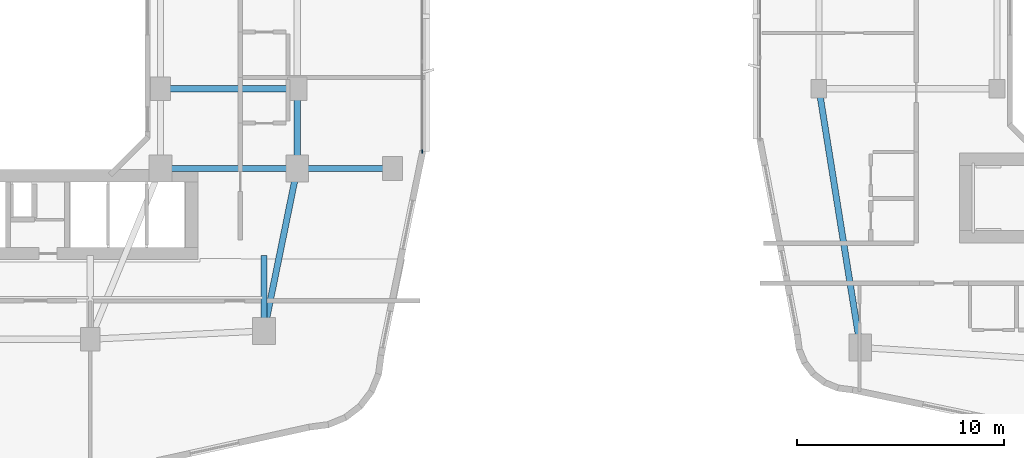
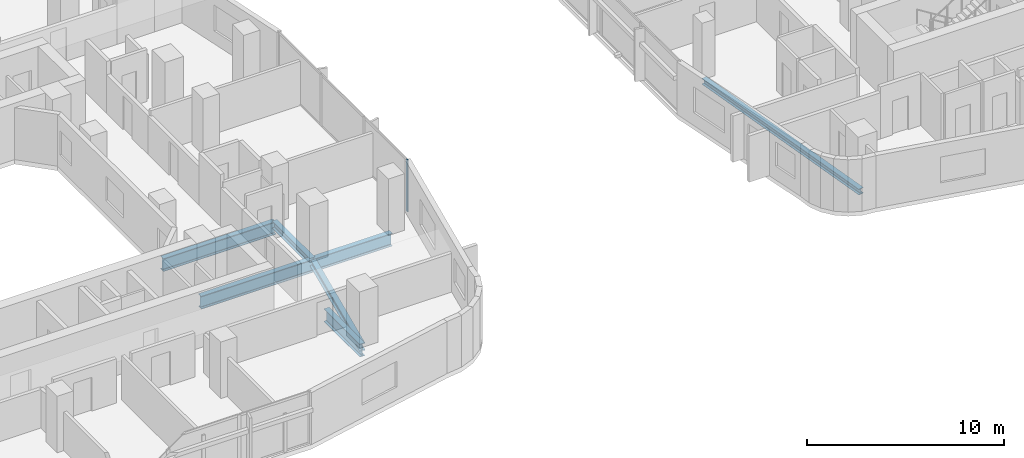
# One storey, part 4 of 26: 7 beams, 1 member, 1 element without a shape of its own.
"""IFC4 building model written with IfcOpenShell, lengths in metres."""

from ifc_helpers import new_model, si_unit, derived_unit, direction, frame, origin, origin_2d, place, context, subcontext, project, spatial, rectangle, i_section, extrude, material, layer, layer_set, material_profile, profile_set, type_object, element, aggregate, save


model = new_model("IFC4")

# Units and contexts
model_context = context("Model", 3, precision=1e-05, world=origin(), true_north=direction((0.0, 1.0)))
body_context = subcontext(model_context, "Body", "Model", "MODEL_VIEW")
ifc_project = project(units=[si_unit("LENGTHUNIT", "METRE"), si_unit("AREAUNIT", "SQUARE_METRE"), si_unit("VOLUMEUNIT", "CUBIC_METRE"), si_unit("PLANEANGLEUNIT", "RADIAN"), si_unit("MASSUNIT", "GRAM", prefix="KILO"), derived_unit("THERMALTRANSMITTANCEUNIT", [(si_unit("POWERUNIT", "WATT"), 1), (si_unit("LENGTHUNIT", "METRE"), -2), (si_unit("THERMODYNAMICTEMPERATUREUNIT", "KELVIN"), -1)])], contexts=[model_context])

# Site, building, storey
site_placement = place(None, origin())
site = spatial("IfcSite", under=ifc_project, at=site_placement, CompositionType="ELEMENT")
building_placement = place(site_placement, origin())
building = spatial("IfcBuilding", under=site, at=building_placement, Name="Kivonza Crest Hotel", CompositionType="ELEMENT")
storey_placement = place(building_placement, frame((0.0, 0.0, 52.0)))
storey = spatial("IfcBuildingStorey", under=building, at=storey_placement, Name="L13", CompositionType="ELEMENT", Elevation=52.0)

# Beams
ifc_material_1 = material(Name="Steel S355", Category="steel")
ifc_material_profile_1 = material_profile(ifc_material_1, i_section(OverallWidth=0.300048828125, OverallDepth=0.360107421875, WebThickness=0.012451171875, FlangeThickness=0.0224609375, FilletRadius=0.027099609375, at=origin_2d()), Name="HEB 360")
ifc_profile_set_1 = profile_set([ifc_material_profile_1], Name="Steel S355")
beam_type_1 = type_object("IfcBeamType", Name="BM-HEB360", PredefinedType="SPANDREL", material=ifc_profile_set_1)
beam_1_placement = place(storey_placement, frame((61.0, 21.5, -0.429931640625), z_axis=(0.157990501107, -0.987440631917, 0.0), x_axis=(0.987440631917, 0.157990501107, 0.0)))
element("IfcBeam", 1, at=beam_1_placement, inside=storey, type_object=beam_type_1, Name="Companion Tower T2 L13 perimeter spandrel W1-SW", PredefinedType="SPANDREL", context=body_context, shape_type="SweptSolid", body=[
    extrude(i_section(OverallWidth=0.300048828125, OverallDepth=0.360107421875, WebThickness=0.012451171875, FlangeThickness=0.0224609375, FilletRadius=0.027099609375, at=origin_2d()), origin(), (0.0, 0.0, 1.0), 12.658935546875),
])
ifc_material_profile_2 = material_profile(ifc_material_1, i_section(OverallWidth=0.300048828125, OverallDepth=0.449951171875, WebThickness=0.013916015625, FlangeThickness=0.02587890625, FilletRadius=0.027099609375, at=origin_2d()), Name="HEB 450")
ifc_profile_set_2 = profile_set([ifc_material_profile_2], Name="Steel S355")
beam_type_2 = type_object("IfcBeamType", Name="BM-HEB450", PredefinedType="SPANDREL", material=ifc_profile_set_2)
beam_2_placement = place(storey_placement, frame((34.199951171875, 9.800048828125, -0.5048828125), z_axis=(0.199730733965, 0.979850822273, 0.0), x_axis=(-0.979850822273, 0.199730733965, 0.0)))
element("IfcBeam", 2, at=beam_2_placement, inside=storey, type_object=beam_type_2, Name="Tower T1 L13 perimeter spandrel SE-PSE", PredefinedType="SPANDREL", context=body_context, shape_type="SweptSolid", body=[
    extrude(i_section(OverallWidth=0.300048828125, OverallDepth=0.449951171875, WebThickness=0.013916015625, FlangeThickness=0.02587890625, FilletRadius=0.027099609375, at=origin_2d()), origin(), (0.0, 0.0, 1.0), 8.01123046875),
])
beam_3_placement = place(storey_placement, frame((35.800048828125, 17.64990234375, -0.5048828125), z_axis=(0.0, 1.0, 0.0), x_axis=(-1.0, 0.0, 0.0)))
element("IfcBeam", 3, at=beam_3_placement, inside=storey, type_object=beam_type_2, Name="Tower T1 L13 perimeter spandrel PSE-E1", PredefinedType="SPANDREL", context=body_context, shape_type="SweptSolid", body=[
    extrude(i_section(OverallWidth=0.300048828125, OverallDepth=0.449951171875, WebThickness=0.013916015625, FlangeThickness=0.02587890625, FilletRadius=0.027099609375, at=origin_2d()), origin(), (0.0, 0.0, 1.0), 3.85009765625),
])
ifc_material_profile_3 = material_profile(ifc_material_1, i_section(OverallWidth=0.300048828125, OverallDepth=0.800048828125, WebThickness=0.017578125, FlangeThickness=0.032958984375, FilletRadius=0.030029296875, at=origin_2d()), Name="HEB 800")
ifc_profile_set_3 = profile_set([ifc_material_profile_3], Name="Steel S355")
beam_type_3 = type_object("IfcBeamType", Name="BM-HEB800", PredefinedType="BEAM", material=ifc_profile_set_3)
for number, where, z_axis, x_axis, name in (
    (4, (29.199951171875, 17.64990234375, -0.679931640625), (1.0, 0.0, 0.0), (0.0, 1.0, 0.0), "Tower T1 L13 primary girder TSE-PSE"),
    (5, (29.199951171875, 21.5, -0.679931640625), (1.0, 0.0, 0.0), (0.0, 1.0, 0.0), "Tower T1 L13 primary girder WR1-E1"),
):
    element("IfcBeam", number, at=place(storey_placement, frame(where, z_axis=z_axis, x_axis=x_axis)), inside=storey, type_object=beam_type_3, Name=name, PredefinedType="BEAM", context=body_context, shape_type="SweptSolid", body=[
        extrude(i_section(OverallWidth=0.300048828125, OverallDepth=0.800048828125, WebThickness=0.017578125, FlangeThickness=0.032958984375, FilletRadius=0.030029296875, at=origin_2d()), origin(), (0.0, 0.0, 1.0), 6.60009765625),
    ])
beam_4_placement = place(storey_placement, frame((40.39990234375, 17.64990234375, -0.679931640625), z_axis=(-1.0, 0.0, 0.0), x_axis=(0.0, -1.0, 0.0)))
element("IfcBeam", 6, at=beam_4_placement, inside=storey, type_object=beam_type_3, Name="Tower T1 L13 outer bay girder ZE1", PredefinedType="BEAM", context=body_context, shape_type="SweptSolid", body=[
    extrude(i_section(OverallWidth=0.300048828125, OverallDepth=0.800048828125, WebThickness=0.017578125, FlangeThickness=0.032958984375, FilletRadius=0.030029296875, at=origin_2d()), origin(), (0.0, 0.0, 1.0), 4.599853515625),
])
beam_5_placement = place(storey_placement, frame((34.199951171875, 9.800048828125, -0.679931640625), z_axis=(0.0, 1.0, 0.0), x_axis=(-1.0, 0.0, 0.0)))
element("IfcBeam", 7, at=beam_5_placement, inside=storey, type_object=beam_type_3, Name="Tower T1 L13 radial core girder RSE", PredefinedType="BEAM", context=body_context, shape_type="SweptSolid", body=[
    extrude(i_section(OverallWidth=0.300048828125, OverallDepth=0.800048828125, WebThickness=0.017578125, FlangeThickness=0.032958984375, FilletRadius=0.030029296875, at=origin_2d()), origin(), (0.0, 0.0, 1.0), 3.64990234375),
])

# Curtain wall, member
ifc_material_2 = material(Name="Anodised bronze aluminium and low-E double glazing", Category="aluminium")
ifc_layer = layer(ifc_material_2, 0.179931640625)
ifc_layer_set = layer_set([ifc_layer], Name="Anodised bronze aluminium and low-E double glazing")
curtain_wall_type = type_object("IfcCurtainWallType", Name="CW-SYS-2", PredefinedType="NOTDEFINED", material=ifc_layer_set)
curtain_wall_placement = place(storey_placement, origin())
curtain_wall = element("IfcCurtainWall", 8, at=curtain_wall_placement, inside=storey, type_object=curtain_wall_type, Name="L13 unitised curtain wall CW-T1-L13-17", PredefinedType="NOTDEFINED")
ifc_material_3 = material(Name="Anodised bronze aluminium", Category="aluminium")
ifc_material_profile_4 = material_profile(ifc_material_3, rectangle(XDim=0.06494140625, YDim=0.179931640625, at=origin_2d()), Name="CW-M 65x180")
ifc_profile_set_4 = profile_set([ifc_material_profile_4], Name="Anodised bronze aluminium")
member_type = type_object("IfcMemberType", Name="CW-MUL-65x180", PredefinedType="MULLION", material=ifc_profile_set_4)
member_placement = place(storey_placement, frame((41.840087890625, 18.472412109375, 0.0), z_axis=(0.0, 0.0, 1.0), x_axis=(-1.0, 0.0, 0.0)))
member = element("IfcMember", 9, at=member_placement, type_object=member_type, Name="CW-2 mullion 1", PredefinedType="MULLION", context=body_context, shape_type="SweptSolid", body=[
    extrude(rectangle(XDim=0.06494140625, YDim=0.179931640625, at=origin_2d()), origin(), (0.0, 0.0, 1.0), 3.219970703125),
])
aggregate(curtain_wall, [member])

save(model, "model.ifc")
